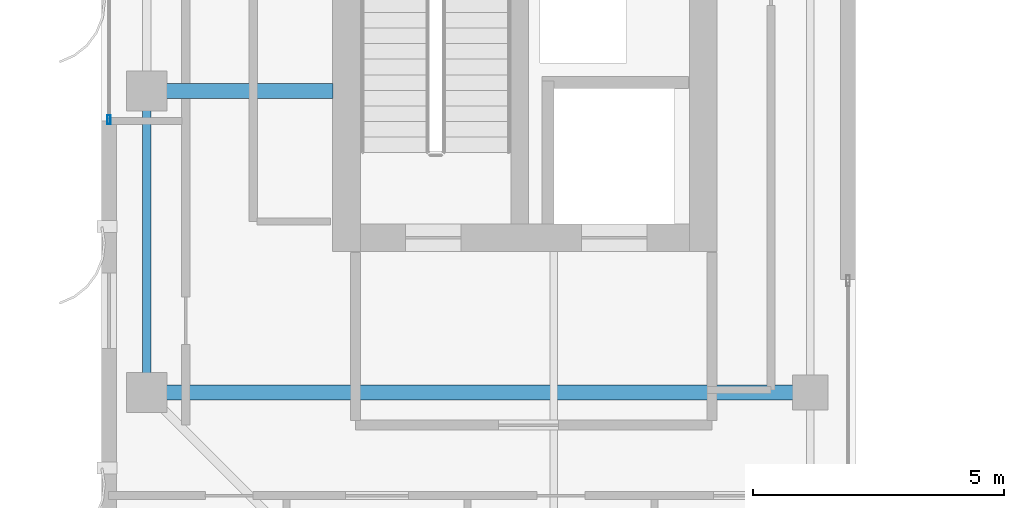
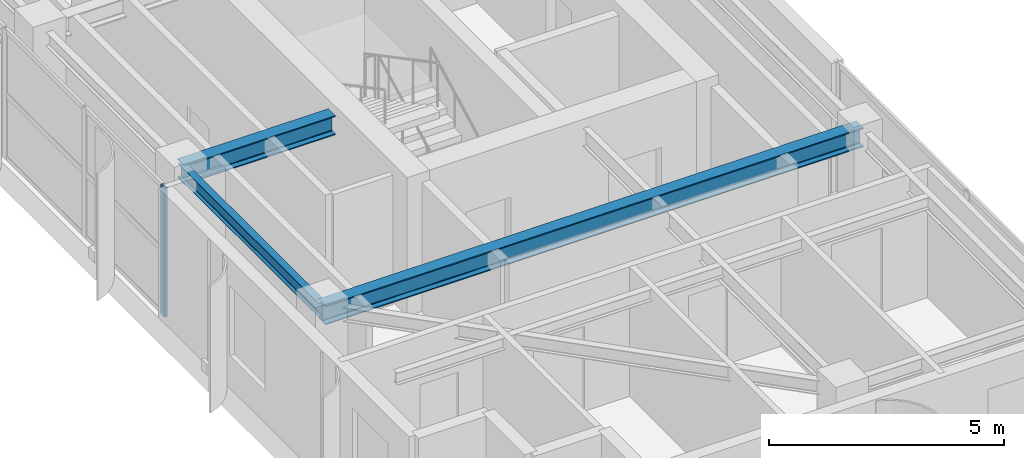
# One storey, part 3 of 24: 3 beams, 1 member, 1 element without a shape of its own.
"""IFC4 building model written with IfcOpenShell, lengths in metres."""

from ifc_helpers import new_model, si_unit, direction, frame, origin, origin_2d, place, context, subcontext, project, spatial, hollow_rectangle, i_section, extrude, source, transform, mapped, material, layer, layer_set, material_profile, profile_set, type_object, element, aggregate, save


model = new_model("IFC4")

# Units and contexts
model_context = context("Model", 3, precision=1e-05, world=origin(), true_north=direction((0.0, 1.0)))
body_context = subcontext(model_context, "Body", "Model", "MODEL_VIEW")
ifc_project = project(units=[si_unit("LENGTHUNIT", "METRE"), si_unit("AREAUNIT", "SQUARE_METRE"), si_unit("VOLUMEUNIT", "CUBIC_METRE"), si_unit("PLANEANGLEUNIT", "RADIAN"), si_unit("MASSUNIT", "GRAM", prefix="KILO")], contexts=[model_context])

# Site, building, storey
site_placement = place(None, origin())
site = spatial("IfcSite", under=ifc_project, at=site_placement, CompositionType="ELEMENT")
building_placement = place(site_placement, origin())
building = spatial("IfcBuilding", under=site, at=building_placement, Name="Khoralis Quay Care Tower", CompositionType="ELEMENT")
storey_placement = place(building_placement, frame((0.0, 0.0, 227.699951171875)))
storey = spatial("IfcBuildingStorey", under=building, at=storey_placement, Name="L59", CompositionType="ELEMENT", Elevation=227.699951171875)

# Beams
ifc_material_1 = material(Name="Steel S355", Category="steel")
ifc_material_profile_1 = material_profile(ifc_material_1, i_section(OverallWidth=0.169921875, OverallDepth=0.360107421875, WebThickness=0.008056640625, FlangeThickness=0.0126953125, FilletRadius=0.01806640625, at=origin_2d()), Name="Steel S355")
ifc_profile_set_1 = profile_set([ifc_material_profile_1], Name="Steel S355")
beam_type_1 = type_object("IfcBeamType", Name="BM-IPE360", PredefinedType="SPANDREL", material=ifc_profile_set_1)
shared_shape_1 = source(origin(), body_context, "Body", "SweptSolid", [
    extrude(i_section(OverallWidth=0.169921875, OverallDepth=0.360107421875, WebThickness=0.008056640625, FlangeThickness=0.0126953125, FilletRadius=0.01806640625, at=origin_2d()), origin(), (0.0, 0.0, 1.0), 6.0),
])
beam_1_placement = place(storey_placement, frame((3.89990234375, 12.0, 3.179931640625), z_axis=(0.0, 1.0, 0.0), x_axis=(-1.0, 0.0, 0.0)))
element("IfcBeam", 1, at=beam_1_placement, inside=storey, type_object=beam_type_1, Name="BM-TSP-L59-05", PredefinedType="SPANDREL", context=body_context, shape_type="MappedRepresentation", body=[
    mapped(shared_shape_1, transform((0.0, 0.0, 0.0), scale=1.0)),
])
ifc_material_profile_2 = material_profile(ifc_material_1, i_section(OverallWidth=0.300048828125, OverallDepth=0.5, WebThickness=0.014404296875, FlangeThickness=0.028076171875, FilletRadius=0.027099609375, at=origin_2d()), Name="Steel S355")
ifc_profile_set_2 = profile_set([ifc_material_profile_2], Name="Steel S355")
beam_type_2 = type_object("IfcBeamType", Name="BM-HEB500", PredefinedType="BEAM", material=ifc_profile_set_2)
shared_shape_2 = source(origin(), body_context, "Body", "SweptSolid", [
    extrude(i_section(OverallWidth=0.300048828125, OverallDepth=0.5, WebThickness=0.014404296875, FlangeThickness=0.028076171875, FilletRadius=0.027099609375, at=origin_2d()), origin(), (0.0, 0.0, 1.0), 13.2001953125),
])
beam_2_placement = place(storey_placement, frame((3.89990234375, 12.0, 3.110107421875), z_axis=(1.0, 0.0, 0.0), x_axis=(0.0, 1.0, 0.0)))
element("IfcBeam", 2, at=beam_2_placement, inside=storey, type_object=beam_type_2, Name="BM-TGXW-L59-120", PredefinedType="BEAM", context=body_context, shape_type="MappedRepresentation", body=[
    mapped(shared_shape_2, transform((0.0, 0.0, 0.0), scale=1.0)),
])
shared_shape_3 = source(origin(), body_context, "Body", "SweptSolid", [
    extrude(i_section(OverallWidth=0.300048828125, OverallDepth=0.5, WebThickness=0.014404296875, FlangeThickness=0.028076171875, FilletRadius=0.027099609375, at=origin_2d()), origin(), (0.0, 0.0, 1.0), 3.7021484375),
])
beam_3_placement = place(storey_placement, frame((3.89990234375, 18.0, 3.110107421875), z_axis=(1.0, 0.0, 0.0), x_axis=(0.0, 1.0, 0.0)))
element("IfcBeam", 3, at=beam_3_placement, inside=storey, type_object=beam_type_2, Name="BM-TGXW-L59-180", PredefinedType="BEAM", context=body_context, shape_type="MappedRepresentation", body=[
    mapped(shared_shape_3, transform((0.0, 0.0, 0.0), scale=1.0)),
])

# Curtain wall, member
ifc_material_2 = material(Name="Pale anodised aluminium", Category="aluminium")
ifc_layer = layer(ifc_material_2, 0.159912109375)
ifc_layer_set = layer_set([ifc_layer], Name="Pale anodised aluminium")
curtain_wall_type = type_object("IfcCurtainWallType", Name="CW-SYS-Z3", PredefinedType="NOTDEFINED", material=ifc_layer_set)
curtain_wall_placement = place(storey_placement, origin())
curtain_wall = element("IfcCurtainWall", 4, at=curtain_wall_placement, inside=storey, type_object=curtain_wall_type, Name="L59 Unitised Curtain Wall CW-L59-P1-E7", PredefinedType="NOTDEFINED")
ifc_material_profile_3 = material_profile(ifc_material_2, hollow_rectangle(XDim=0.06494140625, YDim=0.179931640625, WallThickness=0.00390625, at=origin_2d()), Name="Pale anodised aluminium")
ifc_profile_set_3 = profile_set([ifc_material_profile_3], Name="Pale anodised aluminium")
member_type = type_object("IfcMemberType", Name="CW-MUL-180", PredefinedType="MULLION", material=ifc_profile_set_3)
shared_shape_4 = source(origin(), body_context, "Body", "SweptSolid", [
    extrude(hollow_rectangle(XDim=0.06494140625, YDim=0.179931640625, WallThickness=0.00390625, at=origin_2d()), origin(), (0.0, 0.0, 1.0), 3.360107421875),
])
member_placement = place(storey_placement, frame((3.14990234375, 17.429931640625, 0.0), z_axis=(0.0, 0.0, 1.0), x_axis=(1.0, 0.0, 0.0)))
member = element("IfcMember", 5, at=member_placement, type_object=member_type, Name="CW3 mullion 4", PredefinedType="MULLION", context=body_context, shape_type="MappedRepresentation", body=[
    mapped(shared_shape_4, transform((0.0, 0.0, 0.0), scale=1.0)),
])
aggregate(curtain_wall, [member])

save(model, "model.ifc")
